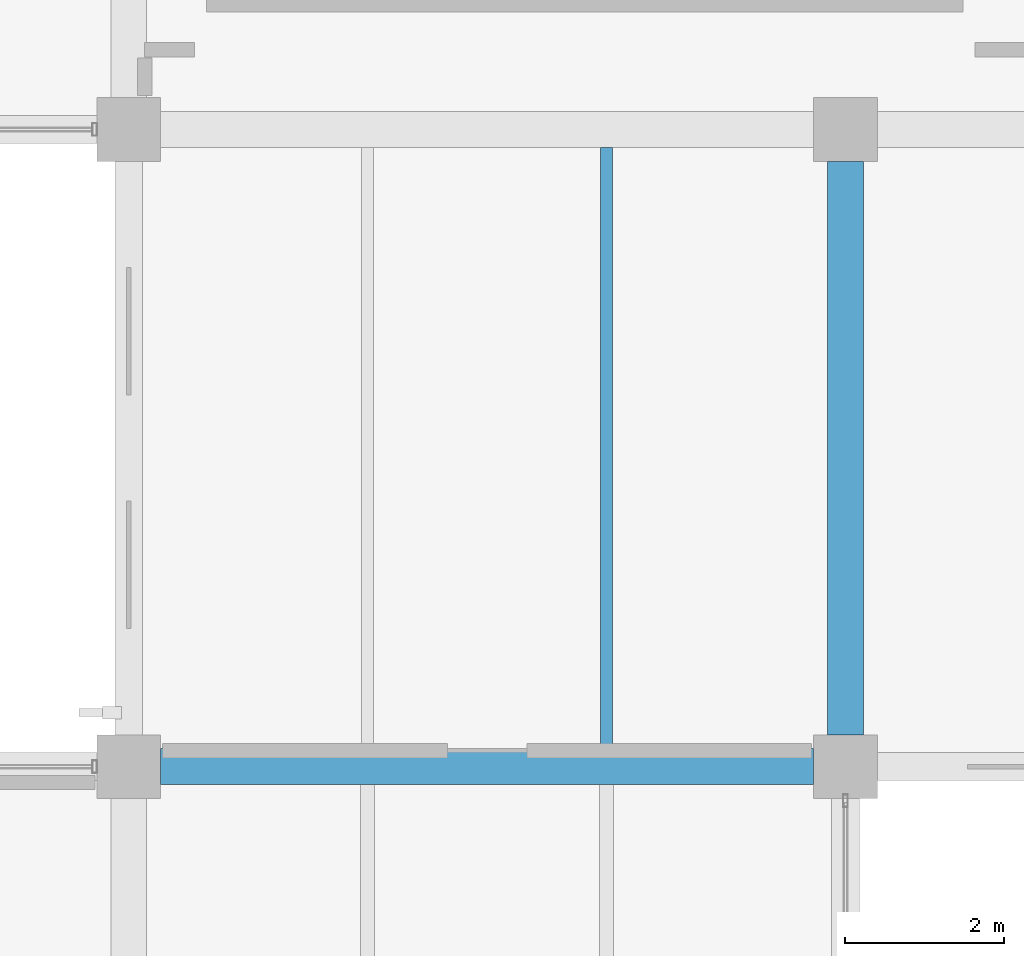
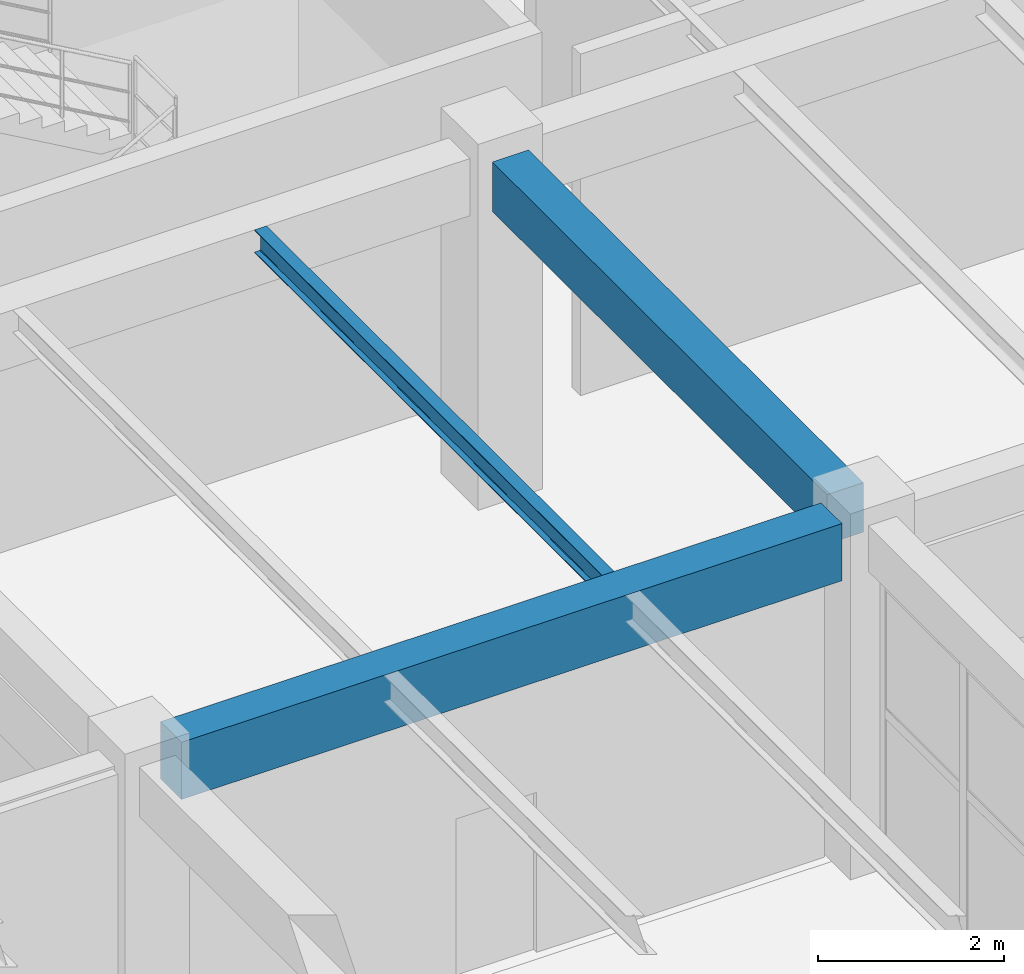
# One storey, part 30 of 178: 3 beams.
"""IFC4 building model written with IfcOpenShell, lengths in metres."""

from ifc_helpers import new_model, si_unit, derived_unit, direction, frame, origin, origin_2d, place, context, subcontext, project, spatial, rectangle, i_section, extrude, material, material_profile, profile_set, type_object, element, save


model = new_model("IFC4")

# Units and contexts
model_context = context("Model", 3, precision=1e-05, world=origin(), true_north=direction((0.0, 1.0)))
body_context = subcontext(model_context, "Body", "Model", "MODEL_VIEW")
ifc_project = project(units=[si_unit("LENGTHUNIT", "METRE"), si_unit("AREAUNIT", "SQUARE_METRE"), si_unit("VOLUMEUNIT", "CUBIC_METRE"), si_unit("PLANEANGLEUNIT", "RADIAN"), si_unit("MASSUNIT", "GRAM", prefix="KILO"), derived_unit("THERMALTRANSMITTANCEUNIT", [(si_unit("MASSUNIT", "GRAM", prefix="KILO"), 1), (si_unit("TIMEUNIT", "SECOND"), -3), (si_unit("THERMODYNAMICTEMPERATUREUNIT", "KELVIN"), -1)])], contexts=[model_context])

# Site, building, storey
site_placement = place(None, origin())
site = spatial("IfcSite", under=ifc_project, at=site_placement, CompositionType="ELEMENT")
building_placement = place(site_placement, origin())
building = spatial("IfcBuilding", under=site, at=building_placement, Name="Zhenchuan Archway Interchange", CompositionType="ELEMENT")
storey_placement = place(building_placement, frame((0.0, 0.0, 5.39990234375)))
storey = spatial("IfcBuildingStorey", under=building, at=storey_placement, Name="L01", CompositionType="ELEMENT", Elevation=5.39990234375)

# Beams
ifc_material_1 = material(Name="Concrete C40", Category="concrete")
ifc_material_profile_1 = material_profile(ifc_material_1, rectangle(XDim=0.449951171875, YDim=0.64990234375, at=origin_2d()), Name="RC 450x650")
ifc_profile_set_1 = profile_set([ifc_material_profile_1], Name="Concrete C40")
beam_type_1 = type_object("IfcBeamType", Name="BM_RC_450x650", PredefinedType="BEAM", material=ifc_profile_set_1)
beam_1_placement = place(storey_placement, frame((45.0, 16.39990234375, 4.18505859375), z_axis=(0.0, 1.0, 0.0), x_axis=(-1.0, 0.0, 0.0)))
element("IfcBeam", 1, at=beam_1_placement, inside=storey, type_object=beam_type_1, Name="Beam 6:C-D (L01)", PredefinedType="BEAM", context=body_context, shape_type="SweptSolid", body=[
    extrude(rectangle(XDim=0.449951171875, YDim=0.64990234375, at=origin_2d()), origin(), (0.0, 0.0, 1.0), 7.2001953125),
])
ifc_material_profile_2 = material_profile(ifc_material_1, rectangle(XDim=0.449951171875, YDim=0.75, at=origin_2d()), Name="RC 450x750")
ifc_profile_set_2 = profile_set([ifc_material_profile_2], Name="Concrete C40")
beam_type_2 = type_object("IfcBeamType", Name="BM_RC_450x750", PredefinedType="BEAM", material=ifc_profile_set_2)
beam_2_placement = place(storey_placement, frame((36.39990234375, 16.0, 4.195068359375), z_axis=(1.0, 0.0, 0.0), x_axis=(0.0, 1.0, 0.0)))
element("IfcBeam", 2, at=beam_2_placement, inside=storey, type_object=beam_type_2, Name="Beam C:5-6 (L01)", PredefinedType="BEAM", context=body_context, shape_type="SweptSolid", body=[
    extrude(rectangle(XDim=0.449951171875, YDim=0.75, at=origin_2d()), origin(), (0.0, 0.0, 1.0), 8.2001953125),
])
ifc_material_2 = material(Name="Steel Q355", Category="steel")
ifc_material_profile_3 = material_profile(ifc_material_2, i_section(OverallWidth=0.14990234375, OverallDepth=0.300048828125, WebThickness=0.006591796875, FlangeThickness=0.009033203125, FilletRadius=0.012939453125, at=origin_2d()), Name="HN 300x150")
ifc_profile_set_3 = profile_set([ifc_material_profile_3], Name="Steel Q355")
beam_type_3 = type_object("IfcBeamType", Name="JST_STL_HN300", PredefinedType="JOIST", material=ifc_profile_set_3)
beam_3_placement = place(storey_placement, frame((42.0, 16.22509765625, 4.360107421875), z_axis=(0.0, 1.0, 0.0), x_axis=(-1.0, 0.0, 0.0)))
element("IfcBeam", 3, at=beam_3_placement, inside=storey, type_object=beam_type_3, Name="Secondary joist 5-6/C-D #2 (L01)", PredefinedType="JOIST", context=body_context, shape_type="SweptSolid", body=[
    extrude(i_section(OverallWidth=0.14990234375, OverallDepth=0.300048828125, WebThickness=0.006591796875, FlangeThickness=0.009033203125, FilletRadius=0.012939453125, at=origin_2d()), origin(), (0.0, 0.0, 1.0), 7.5498046875),
])

save(model, "model.ifc")
